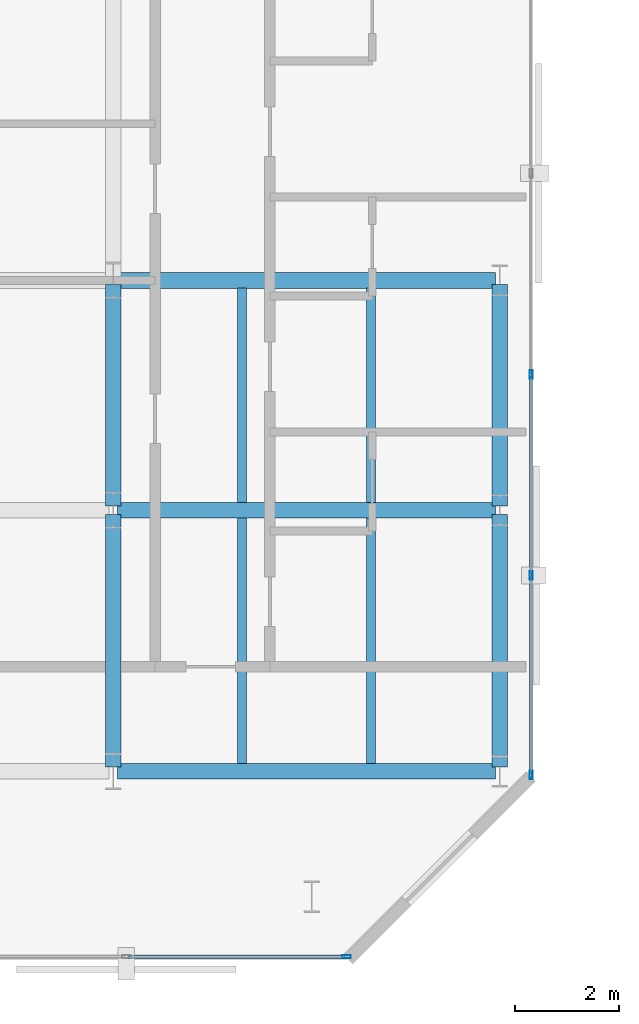
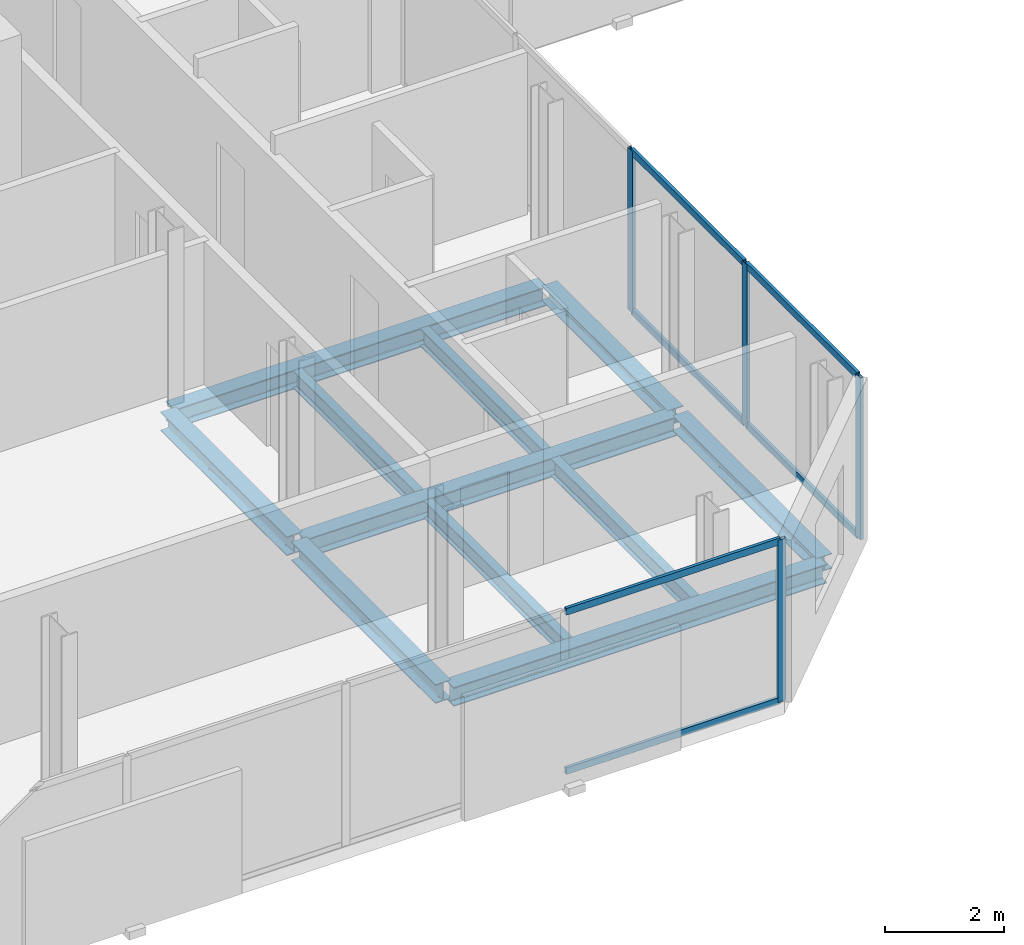
# One storey, part 7 of 32: 11 beams, 10 members, 2 elements without a shape of their own.
"""IFC4 building model written with IfcOpenShell, lengths in metres."""

from ifc_helpers import new_model, si_unit, direction, frame, origin, origin_2d, place, context, subcontext, project, spatial, hollow_rectangle, i_section, extrude, material, layer, layer_set, material_profile, profile_set, type_object, element, aggregate, save


model = new_model("IFC4")

# Units and contexts
model_context = context("Model", 3, precision=1e-05, world=origin(), true_north=direction((0.0, 1.0)))
body_context = subcontext(model_context, "Body", "Model", "MODEL_VIEW")
ifc_project = project(units=[si_unit("LENGTHUNIT", "METRE"), si_unit("AREAUNIT", "SQUARE_METRE"), si_unit("VOLUMEUNIT", "CUBIC_METRE"), si_unit("PLANEANGLEUNIT", "RADIAN"), si_unit("MASSUNIT", "GRAM", prefix="KILO")], contexts=[model_context])

# Site, building, storey
site_placement = place(None, origin())
site = spatial("IfcSite", under=ifc_project, at=site_placement, CompositionType="ELEMENT")
building_placement = place(site_placement, origin())
building = spatial("IfcBuilding", under=site, at=building_placement, Name="Catumbela Crestline Tower", CompositionType="ELEMENT")
storey_placement = place(building_placement, frame((0.0, 0.0, 136.8)))
storey = spatial("IfcBuildingStorey", under=building, at=storey_placement, Name="L35", CompositionType="ELEMENT", Elevation=136.8)

# Beams
ifc_material_1 = material(Name="Structural steel S355J2", Category="steel")
ifc_material_profile_1 = material_profile(ifc_material_1, i_section(OverallWidth=0.3, OverallDepth=0.39, WebThickness=0.011, FlangeThickness=0.019, FilletRadius=0.027, at=origin_2d()), Name="HEA 400")
ifc_profile_set_1 = profile_set([ifc_material_profile_1], Name="Structural steel S355J2")
beam_type_1 = type_object("IfcBeamType", Name="BG-HEA400", PredefinedType="BEAM", material=ifc_profile_set_1)
for number, where, z_axis, x_axis, name in (
    (1, (16.08, 8.6, -0.455), (1.0, 0.0, 0.0), (0.0, 1.0, 0.0), "L35 Beam BM-L35-WEW45"),
    (2, (16.08, 13.6, -0.455), (1.0, 0.0, 0.0), (0.0, 1.0, 0.0), "L35 Beam BM-L35-WEW48"),
    (3, (16.08, 18.0, -0.455), (1.0, 0.0, 0.0), (0.0, 1.0, 0.0), "L35 Beam BM-L35-WEW51"),
):
    element("IfcBeam", number, at=place(storey_placement, frame(where, z_axis=z_axis, x_axis=x_axis)), inside=storey, type_object=beam_type_1, Name=name, PredefinedType="BEAM", context=body_context, shape_type="SweptSolid", body=[
        extrude(i_section(OverallWidth=0.3, OverallDepth=0.39, WebThickness=0.011, FlangeThickness=0.019, FilletRadius=0.027, at=origin_2d()), origin(), (0.0, 0.0, 1.0), 7.24),
    ])
beam_1_placement = place(storey_placement, frame((16.0, 8.68, -0.455), z_axis=(0.0, 1.0, 0.0), x_axis=(-1.0, 0.0, 0.0)))
element("IfcBeam", 4, at=beam_1_placement, inside=storey, type_object=beam_type_1, Name="L35 Beam BM-L35-WNS58", PredefinedType="BEAM", context=body_context, shape_type="SweptSolid", body=[
    extrude(i_section(OverallWidth=0.3, OverallDepth=0.39, WebThickness=0.011, FlangeThickness=0.019, FilletRadius=0.027, at=origin_2d()), origin(), (0.0, 0.0, 1.0), 4.84),
])
beam_2_placement = place(storey_placement, frame((16.0, 13.68, -0.455), z_axis=(0.0, 1.0, 0.0), x_axis=(-1.0, 0.0, 0.0)))
element("IfcBeam", 5, at=beam_2_placement, inside=storey, type_object=beam_type_1, Name="L35 Beam BM-L35-WNS59", PredefinedType="BEAM", context=body_context, shape_type="SweptSolid", body=[
    extrude(i_section(OverallWidth=0.3, OverallDepth=0.39, WebThickness=0.011, FlangeThickness=0.019, FilletRadius=0.027, at=origin_2d()), origin(), (0.0, 0.0, 1.0), 4.24),
])
ifc_material_profile_2 = material_profile(ifc_material_1, i_section(OverallWidth=0.17, OverallDepth=0.36, WebThickness=0.008, FlangeThickness=0.0127, FilletRadius=0.018, at=origin_2d()), Name="IPE 360")
ifc_profile_set_2 = profile_set([ifc_material_profile_2], Name="Structural steel S355J2")
beam_type_2 = type_object("IfcBeamType", Name="BJ-IPE360", PredefinedType="JOIST", material=ifc_profile_set_2)
for number, where, z_axis, x_axis, name in (
    (6, (18.467, 8.747, -0.44), (0.0, 1.0, 0.0), (-1.0, 0.0, 0.0), "L35 Joist JS-L35-WG67"),
    (7, (20.933, 8.747, -0.44), (0.0, 1.0, 0.0), (-1.0, 0.0, 0.0), "L35 Joist JS-L35-WG68"),
):
    element("IfcBeam", number, at=place(storey_placement, frame(where, z_axis=z_axis, x_axis=x_axis)), inside=storey, type_object=beam_type_2, Name=name, PredefinedType="JOIST", context=body_context, shape_type="SweptSolid", body=[
        extrude(i_section(OverallWidth=0.17, OverallDepth=0.36, WebThickness=0.008, FlangeThickness=0.0127, FilletRadius=0.018, at=origin_2d()), origin(), (0.0, 0.0, 1.0), 4.706),
    ])
for number, where, z_axis, x_axis, name in (
    (8, (18.467, 13.747, -0.44), (0.0, 1.0, 0.0), (-1.0, 0.0, 0.0), "L35 Joist JS-L35-WG73"),
    (9, (20.933, 13.747, -0.44), (0.0, 1.0, 0.0), (-1.0, 0.0, 0.0), "L35 Joist JS-L35-WG74"),
):
    element("IfcBeam", number, at=place(storey_placement, frame(where, z_axis=z_axis, x_axis=x_axis)), inside=storey, type_object=beam_type_2, Name=name, PredefinedType="JOIST", context=body_context, shape_type="SweptSolid", body=[
        extrude(i_section(OverallWidth=0.17, OverallDepth=0.36, WebThickness=0.008, FlangeThickness=0.0127, FilletRadius=0.018, at=origin_2d()), origin(), (0.0, 0.0, 1.0), 4.106),
    ])

# Curtain wall, member
ifc_material_2 = material(Name="Aluminium alloy AW-6060-T66", Category="aluminium")
ifc_layer = layer(ifc_material_2, 0.18, Name="Aluminium alloy AW-6060-T66")
ifc_layer_set = layer_set([ifc_layer], Name="Aluminium alloy AW-6060-T66")
curtain_wall_type = type_object("IfcCurtainWallType", Name="CWU-Z2", PredefinedType="USERDEFINED", material=ifc_layer_set)
curtain_wall_1_placement = place(storey_placement, origin())
curtain_wall_1 = element("IfcCurtainWall", 10, at=curtain_wall_1_placement, inside=storey, type_object=curtain_wall_type, Name="L35 Unitised Curtain Wall CW-L35-E0S1", ObjectType="UNITISED", PredefinedType="USERDEFINED")
ifc_material_profile_3 = material_profile(ifc_material_2, hollow_rectangle(XDim=0.06, YDim=0.16, WallThickness=0.004, at=origin_2d()), Name="ALU 160x60x4")
ifc_profile_set_3 = profile_set([ifc_material_profile_3], Name="Aluminium alloy AW-6060-T66")
member_type_1 = type_object("IfcMemberType", Name="MUL-160X60", PredefinedType="MULLION", material=ifc_profile_set_3)
member_1_placement = place(storey_placement, frame((20.4675, 5.05, 0.0), z_axis=(0.0, 0.0, 1.0), x_axis=(0.0, 1.0, 0.0)))
member_1 = element("IfcMember", 11, at=member_1_placement, type_object=member_type_1, Name="CWU-Z2 mullion 5", PredefinedType="MULLION", context=body_context, shape_type="SweptSolid", body=[
    extrude(hollow_rectangle(XDim=0.06, YDim=0.16, WallThickness=0.004, at=origin_2d()), origin(), (0.0, 0.0, 1.0), 3.33),
])

# Curtain wall, members
curtain_wall_2_placement = place(storey_placement, origin())
curtain_wall_2 = element("IfcCurtainWall", 12, at=curtain_wall_2_placement, inside=storey, type_object=curtain_wall_type, Name="L35 Unitised Curtain Wall CW-L35-E2S1", ObjectType="UNITISED", PredefinedType="USERDEFINED")
member_2_placement = place(storey_placement, frame((24.0, 8.5325, 0.0), z_axis=(0.0, 0.0, 1.0), x_axis=(-1.0, 0.0, 0.0)))
member_2 = element("IfcMember", 13, at=member_2_placement, type_object=member_type_1, Name="CWU-Z2 mullion 1", PredefinedType="MULLION", context=body_context, shape_type="SweptSolid", body=[
    extrude(hollow_rectangle(XDim=0.06, YDim=0.16, WallThickness=0.004, at=origin_2d()), origin(), (0.0, 0.0, 1.0), 3.33),
])
member_3_placement = place(storey_placement, frame((24.0, 12.35, 0.0), z_axis=(0.0, 0.0, 1.0), x_axis=(-1.0, 0.0, 0.0)))
member_3 = element("IfcMember", 14, at=member_3_placement, type_object=member_type_1, Name="CWU-Z2 mullion 2", PredefinedType="MULLION", context=body_context, shape_type="SweptSolid", body=[
    extrude(hollow_rectangle(XDim=0.06, YDim=0.16, WallThickness=0.004, at=origin_2d()), origin(), (0.0, 0.0, 1.0), 3.33),
])
member_4_placement = place(storey_placement, frame((24.0, 16.2, 0.0), z_axis=(0.0, 0.0, 1.0), x_axis=(-1.0, 0.0, 0.0)))
member_4 = element("IfcMember", 15, at=member_4_placement, type_object=member_type_1, Name="CWU-Z2 mullion 3", PredefinedType="MULLION", context=body_context, shape_type="SweptSolid", body=[
    extrude(hollow_rectangle(XDim=0.06, YDim=0.16, WallThickness=0.004, at=origin_2d()), origin(), (0.0, 0.0, 1.0), 3.33),
])

# Beams
ifc_material_profile_4 = material_profile(ifc_material_1, i_section(OverallWidth=0.3, OverallDepth=0.31, WebThickness=0.009, FlangeThickness=0.0155, FilletRadius=0.027, at=origin_2d()), Name="HEA 320")
ifc_profile_set_4 = profile_set([ifc_material_profile_4], Name="Structural steel S355J2")
beam_type_3 = type_object("IfcBeamType", Name="BS-HEA320", PredefinedType="SPANDREL", material=ifc_profile_set_4)
beam_3_placement = place(storey_placement, frame((23.4, 8.68, -0.415), z_axis=(0.0, 1.0, 0.0), x_axis=(-1.0, 0.0, 0.0)))
element("IfcBeam", 16, at=beam_3_placement, inside=storey, type_object=beam_type_3, Name="L35 Spandrel SP-L35-WNS61", PredefinedType="SPANDREL", context=body_context, shape_type="SweptSolid", body=[
    extrude(i_section(OverallWidth=0.3, OverallDepth=0.31, WebThickness=0.009, FlangeThickness=0.0155, FilletRadius=0.027, at=origin_2d()), origin(), (0.0, 0.0, 1.0), 4.84),
])
beam_4_placement = place(storey_placement, frame((23.4, 13.68, -0.415), z_axis=(0.0, 1.0, 0.0), x_axis=(-1.0, 0.0, 0.0)))
element("IfcBeam", 17, at=beam_4_placement, inside=storey, type_object=beam_type_3, Name="L35 Spandrel SP-L35-WNS62", PredefinedType="SPANDREL", context=body_context, shape_type="SweptSolid", body=[
    extrude(i_section(OverallWidth=0.3, OverallDepth=0.31, WebThickness=0.009, FlangeThickness=0.0155, FilletRadius=0.027, at=origin_2d()), origin(), (0.0, 0.0, 1.0), 4.24),
])

# Member
ifc_material_profile_5 = material_profile(ifc_material_2, hollow_rectangle(XDim=0.06, YDim=0.14, WallThickness=0.004, at=origin_2d()), Name="ALU 140x60x4")
ifc_profile_set_5 = profile_set([ifc_material_profile_5], Name="Aluminium alloy AW-6060-T66")
member_type_2 = type_object("IfcMemberType", Name="TRN-140X60", PredefinedType="USERDEFINED", material=ifc_profile_set_5)
member_5_placement = place(storey_placement, frame((16.2825, 5.05, 0.03), z_axis=(1.0, 0.0, 0.0), x_axis=(0.0, 1.0, 0.0)))
member_5 = element("IfcMember", 18, at=member_5_placement, type_object=member_type_2, Name="CWU-Z2 transom 4.1", ObjectType="TRANSOM", PredefinedType="USERDEFINED", context=body_context, shape_type="SweptSolid", body=[
    extrude(hollow_rectangle(XDim=0.06, YDim=0.14, WallThickness=0.004, at=origin_2d()), origin(), (0.0, 0.0, 1.0), 4.1525),
])

member_6_placement = place(storey_placement, frame((16.2825, 5.05, 3.3), z_axis=(1.0, 0.0, 0.0), x_axis=(0.0, 1.0, 0.0)))
member_6 = element("IfcMember", 19, at=member_6_placement, type_object=member_type_2, Name="CWU-Z2 transom 4.2", ObjectType="TRANSOM", PredefinedType="USERDEFINED", context=body_context, shape_type="SweptSolid", body=[
    extrude(hollow_rectangle(XDim=0.06, YDim=0.14, WallThickness=0.004, at=origin_2d()), origin(), (0.0, 0.0, 1.0), 4.1525),
])

aggregate(curtain_wall_1, [member_1, member_5, member_6])

member_7_placement = place(storey_placement, frame((24.0, 8.565, 0.03), z_axis=(0.0, 1.0, 0.0), x_axis=(-1.0, 0.0, 0.0)))
member_7 = element("IfcMember", 20, at=member_7_placement, type_object=member_type_2, Name="CWU-Z2 transom 1.1", ObjectType="TRANSOM", PredefinedType="USERDEFINED", context=body_context, shape_type="SweptSolid", body=[
    extrude(hollow_rectangle(XDim=0.06, YDim=0.14, WallThickness=0.004, at=origin_2d()), origin(), (0.0, 0.0, 1.0), 3.7525),
])

member_8_placement = place(storey_placement, frame((24.0, 8.565, 3.3), z_axis=(0.0, 1.0, 0.0), x_axis=(-1.0, 0.0, 0.0)))
member_8 = element("IfcMember", 21, at=member_8_placement, type_object=member_type_2, Name="CWU-Z2 transom 1.2", ObjectType="TRANSOM", PredefinedType="USERDEFINED", context=body_context, shape_type="SweptSolid", body=[
    extrude(hollow_rectangle(XDim=0.06, YDim=0.14, WallThickness=0.004, at=origin_2d()), origin(), (0.0, 0.0, 1.0), 3.7525),
])

member_9_placement = place(storey_placement, frame((24.0, 12.3825, 0.03), z_axis=(0.0, 1.0, 0.0), x_axis=(-1.0, 0.0, 0.0)))
member_9 = element("IfcMember", 22, at=member_9_placement, type_object=member_type_2, Name="CWU-Z2 transom 2.1", ObjectType="TRANSOM", PredefinedType="USERDEFINED", context=body_context, shape_type="SweptSolid", body=[
    extrude(hollow_rectangle(XDim=0.06, YDim=0.14, WallThickness=0.004, at=origin_2d()), origin(), (0.0, 0.0, 1.0), 3.785),
])

member_10_placement = place(storey_placement, frame((24.0, 12.3825, 3.3), z_axis=(0.0, 1.0, 0.0), x_axis=(-1.0, 0.0, 0.0)))
member_10 = element("IfcMember", 23, at=member_10_placement, type_object=member_type_2, Name="CWU-Z2 transom 2.2", ObjectType="TRANSOM", PredefinedType="USERDEFINED", context=body_context, shape_type="SweptSolid", body=[
    extrude(hollow_rectangle(XDim=0.06, YDim=0.14, WallThickness=0.004, at=origin_2d()), origin(), (0.0, 0.0, 1.0), 3.785),
])

aggregate(curtain_wall_2, [member_2, member_3, member_4, member_7, member_8, member_9, member_10])

save(model, "model.ifc")
